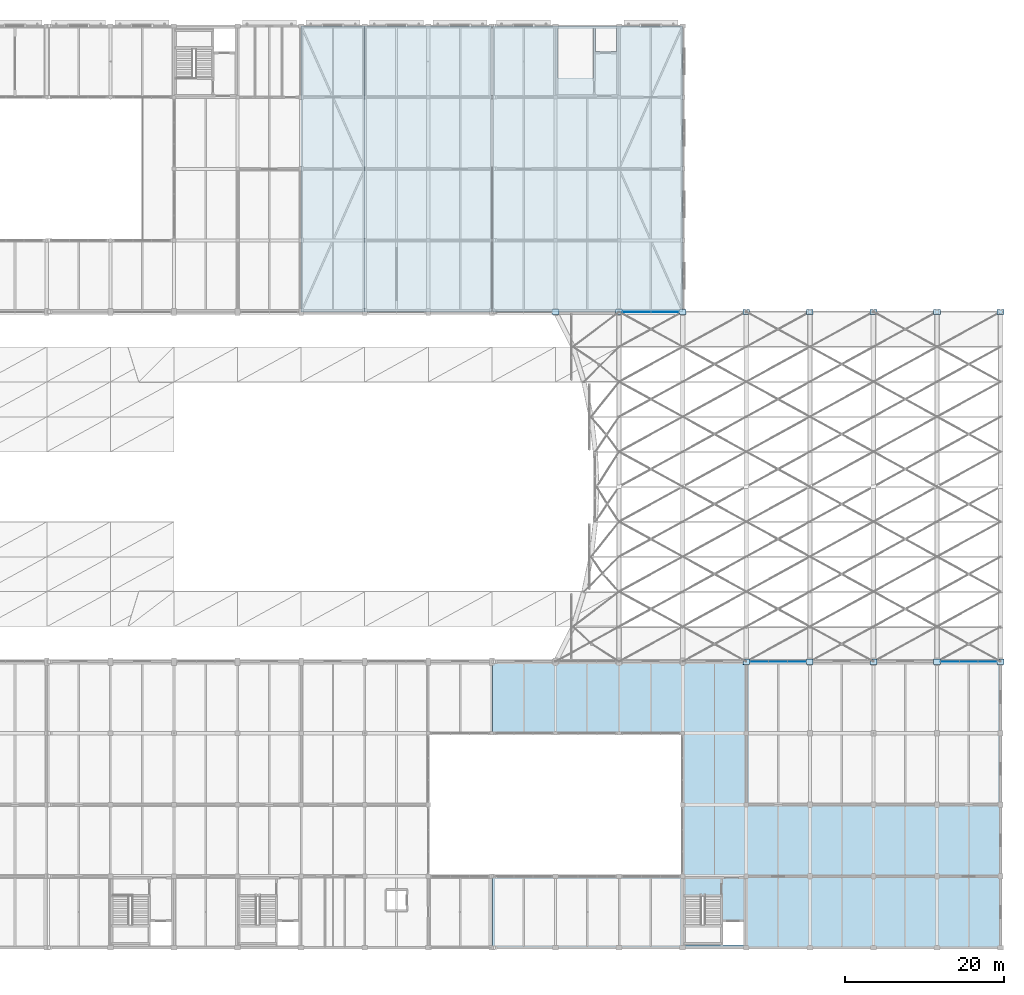
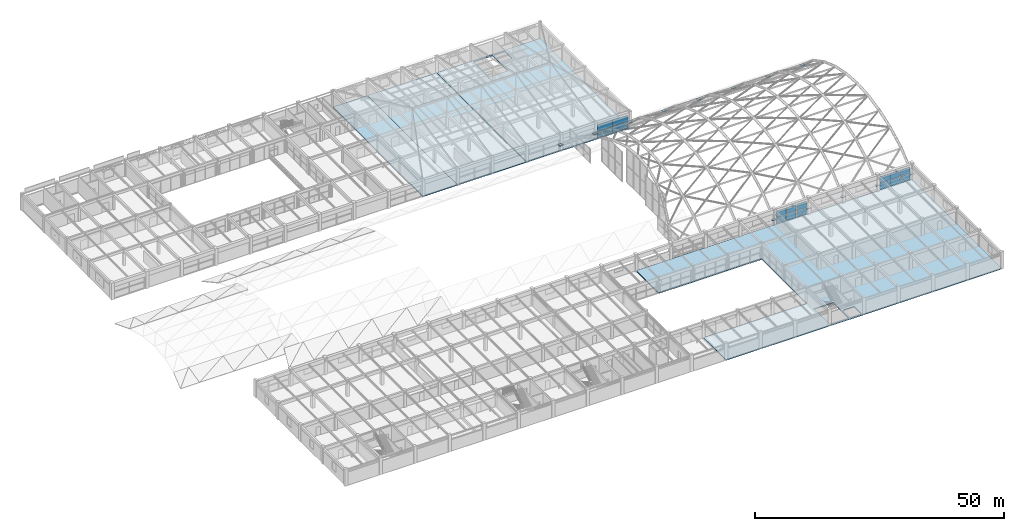
# One storey, part 90 of 126: 29 plates, 4 slabs, 3 elements without a shape of their own.
"""IFC4 building model written with IfcOpenShell, lengths in metres."""

from ifc_helpers import new_model, si_unit, direction, frame, origin, origin_2d, place, context, subcontext, project, spatial, polyline, rectangle, outline, extrude, material, layer, layer_set, type_object, element, aggregate, save


model = new_model("IFC4")

# Units and contexts
model_context = context("Model", 3, precision=1e-05, world=origin(), true_north=direction((0.0, 1.0)))
body_context = subcontext(model_context, "Body", "Model", "MODEL_VIEW")
ifc_project = project(units=[si_unit("LENGTHUNIT", "METRE"), si_unit("AREAUNIT", "SQUARE_METRE"), si_unit("VOLUMEUNIT", "CUBIC_METRE"), si_unit("PLANEANGLEUNIT", "RADIAN"), si_unit("MASSUNIT", "GRAM", prefix="KILO")], contexts=[model_context])

# Site, building, storey
site_placement = place(None, origin())
site = spatial("IfcSite", under=ifc_project, at=site_placement, CompositionType="ELEMENT")
building_placement = place(site_placement, origin())
building = spatial("IfcBuilding", under=site, at=building_placement, Name="Varnabhumi Central Station", CompositionType="ELEMENT")
storey_placement = place(building_placement, frame((0.0, 0.0, 16.199951171875)))
storey = spatial("IfcBuildingStorey", under=building, at=storey_placement, Name="L03", CompositionType="ELEMENT", Elevation=16.199951171875)

# Curtain wall, plates
ifc_material_1 = material(Name="Anodised aluminium 6063-T6", Category="aluminium")
curtain_wall_type = type_object("IfcCurtainWallType", Name="CW-SPINE-SCREEN-L0", PredefinedType="NOTDEFINED", material=ifc_material_1)
curtain_wall_1_placement = place(storey_placement, origin())
curtain_wall_1 = element("IfcCurtainWall", 1, at=curtain_wall_1_placement, inside=storey, type_object=curtain_wall_type, Name="Curtain Wall CW-SS315", PredefinedType="NOTDEFINED")
ifc_material_2 = material(Name="Laminated low-E double glazing", Category="glass")
ifc_layer_1 = layer(ifc_material_2, 0.035888671875, Name="Laminated low-E double glazing", Category="glass")
ifc_layer_set_1 = layer_set([ifc_layer_1], Name="Laminated low-E double glazing")
plate_type_1 = type_object("IfcPlateType", Name="CW-PNL-GLZ-1", PredefinedType="CURTAIN_PANEL", material=ifc_layer_set_1)
plate_1_placement = place(storey_placement, frame((153.63330078125, 36.0, 0.0400390625), z_axis=(0.0, 0.0, 1.0), x_axis=(1.0, 0.0, 0.0)))
plate_1 = element("IfcPlate", 2, at=plate_1_placement, type_object=plate_type_1, Name="Glazed Panel CW-SS315-P11", PredefinedType="CURTAIN_PANEL", context=body_context, shape_type="SweptSolid", body=[
    extrude(rectangle(XDim=2.28662109375, YDim=0.035888671875, at=origin_2d()), origin(), (0.0, 0.0, 1.0), 1.5400390625),
])
plate_2_placement = place(storey_placement, frame((153.63330078125, 36.0, 1.659912109375), z_axis=(0.0, 0.0, 1.0), x_axis=(1.0, 0.0, 0.0)))
plate_2 = element("IfcPlate", 3, at=plate_2_placement, type_object=plate_type_1, Name="Glazed Panel CW-SS315-P12", PredefinedType="CURTAIN_PANEL", context=body_context, shape_type="SweptSolid", body=[
    extrude(rectangle(XDim=2.28662109375, YDim=0.035888671875, at=origin_2d()), origin(), (0.0, 0.0, 1.0), 1.5400390625),
])
plate_3_placement = place(storey_placement, frame((156.0, 36.0, 0.0400390625), z_axis=(0.0, 0.0, 1.0), x_axis=(1.0, 0.0, 0.0)))
plate_3 = element("IfcPlate", 4, at=plate_3_placement, type_object=plate_type_1, Name="Glazed Panel CW-SS315-P21", PredefinedType="CURTAIN_PANEL", context=body_context, shape_type="SweptSolid", body=[
    extrude(rectangle(XDim=2.28662109375, YDim=0.035888671875, at=origin_2d()), origin(), (0.0, 0.0, 1.0), 1.5400390625),
])
plate_4_placement = place(storey_placement, frame((156.0, 36.0, 1.659912109375), z_axis=(0.0, 0.0, 1.0), x_axis=(1.0, 0.0, 0.0)))
plate_4 = element("IfcPlate", 5, at=plate_4_placement, type_object=plate_type_1, Name="Glazed Panel CW-SS315-P22", PredefinedType="CURTAIN_PANEL", context=body_context, shape_type="SweptSolid", body=[
    extrude(rectangle(XDim=2.28662109375, YDim=0.035888671875, at=origin_2d()), origin(), (0.0, 0.0, 1.0), 1.5400390625),
])
plate_5_placement = place(storey_placement, frame((158.36669921875, 36.0, 0.0400390625), z_axis=(0.0, 0.0, 1.0), x_axis=(1.0, 0.0, 0.0)))
plate_5 = element("IfcPlate", 6, at=plate_5_placement, type_object=plate_type_1, Name="Glazed Panel CW-SS315-P31", PredefinedType="CURTAIN_PANEL", context=body_context, shape_type="SweptSolid", body=[
    extrude(rectangle(XDim=2.28662109375, YDim=0.035888671875, at=origin_2d()), origin(), (0.0, 0.0, 1.0), 1.5400390625),
])
plate_6_placement = place(storey_placement, frame((158.36669921875, 36.0, 1.659912109375), z_axis=(0.0, 0.0, 1.0), x_axis=(1.0, 0.0, 0.0)))
plate_6 = element("IfcPlate", 7, at=plate_6_placement, type_object=plate_type_1, Name="Glazed Panel CW-SS315-P32", PredefinedType="CURTAIN_PANEL", context=body_context, shape_type="SweptSolid", body=[
    extrude(rectangle(XDim=2.28662109375, YDim=0.035888671875, at=origin_2d()), origin(), (0.0, 0.0, 1.0), 1.5400390625),
])
aggregate(curtain_wall_1, [plate_1, plate_2, plate_3, plate_4, plate_5, plate_6])

curtain_wall_2_placement = place(storey_placement, origin())
curtain_wall_2 = element("IfcCurtainWall", 8, at=curtain_wall_2_placement, inside=storey, type_object=curtain_wall_type, Name="Curtain Wall CW-SS318", PredefinedType="NOTDEFINED")
ifc_layer_2 = layer(ifc_material_2, 0.035888671875, Name="Laminated low-E double glazing", Category="glass")
ifc_layer_set_2 = layer_set([ifc_layer_2], Name="Laminated low-E double glazing")
plate_type_2 = type_object("IfcPlateType", Name="CW-PNL-GLZ-4", PredefinedType="CURTAIN_PANEL", material=ifc_layer_set_2)
plate_7_placement = place(storey_placement, frame((177.63330078125, 36.0, 0.0400390625), z_axis=(0.0, 0.0, 1.0), x_axis=(1.0, 0.0, 0.0)))
plate_7 = element("IfcPlate", 9, at=plate_7_placement, type_object=plate_type_2, Name="Glazed Panel CW-SS318-P11", PredefinedType="CURTAIN_PANEL", context=body_context, shape_type="SweptSolid", body=[
    extrude(rectangle(XDim=2.28662109375, YDim=0.035888671875, at=origin_2d()), origin(), (0.0, 0.0, 1.0), 1.5400390625),
])
plate_8_placement = place(storey_placement, frame((177.63330078125, 36.0, 1.659912109375), z_axis=(0.0, 0.0, 1.0), x_axis=(1.0, 0.0, 0.0)))
plate_8 = element("IfcPlate", 10, at=plate_8_placement, type_object=plate_type_2, Name="Glazed Panel CW-SS318-P12", PredefinedType="CURTAIN_PANEL", context=body_context, shape_type="SweptSolid", body=[
    extrude(rectangle(XDim=2.28662109375, YDim=0.035888671875, at=origin_2d()), origin(), (0.0, 0.0, 1.0), 1.5400390625),
])
plate_9_placement = place(storey_placement, frame((180.0, 36.0, 0.0400390625), z_axis=(0.0, 0.0, 1.0), x_axis=(1.0, 0.0, 0.0)))
plate_9 = element("IfcPlate", 11, at=plate_9_placement, type_object=plate_type_2, Name="Glazed Panel CW-SS318-P21", PredefinedType="CURTAIN_PANEL", context=body_context, shape_type="SweptSolid", body=[
    extrude(rectangle(XDim=2.28662109375, YDim=0.035888671875, at=origin_2d()), origin(), (0.0, 0.0, 1.0), 1.5400390625),
])
plate_10_placement = place(storey_placement, frame((180.0, 36.0, 1.659912109375), z_axis=(0.0, 0.0, 1.0), x_axis=(1.0, 0.0, 0.0)))
plate_10 = element("IfcPlate", 12, at=plate_10_placement, type_object=plate_type_2, Name="Glazed Panel CW-SS318-P22", PredefinedType="CURTAIN_PANEL", context=body_context, shape_type="SweptSolid", body=[
    extrude(rectangle(XDim=2.28662109375, YDim=0.035888671875, at=origin_2d()), origin(), (0.0, 0.0, 1.0), 1.5400390625),
])
plate_11_placement = place(storey_placement, frame((182.36669921875, 36.0, 0.0400390625), z_axis=(0.0, 0.0, 1.0), x_axis=(1.0, 0.0, 0.0)))
plate_11 = element("IfcPlate", 13, at=plate_11_placement, type_object=plate_type_2, Name="Glazed Panel CW-SS318-P31", PredefinedType="CURTAIN_PANEL", context=body_context, shape_type="SweptSolid", body=[
    extrude(rectangle(XDim=2.28662109375, YDim=0.035888671875, at=origin_2d()), origin(), (0.0, 0.0, 1.0), 1.5400390625),
])
plate_12_placement = place(storey_placement, frame((182.36669921875, 36.0, 1.659912109375), z_axis=(0.0, 0.0, 1.0), x_axis=(1.0, 0.0, 0.0)))
plate_12 = element("IfcPlate", 14, at=plate_12_placement, type_object=plate_type_2, Name="Glazed Panel CW-SS318-P32", PredefinedType="CURTAIN_PANEL", context=body_context, shape_type="SweptSolid", body=[
    extrude(rectangle(XDim=2.28662109375, YDim=0.035888671875, at=origin_2d()), origin(), (0.0, 0.0, 1.0), 1.5400390625),
])
aggregate(curtain_wall_2, [plate_7, plate_8, plate_9, plate_10, plate_11, plate_12])

curtain_wall_3_placement = place(storey_placement, origin())
curtain_wall_3 = element("IfcCurtainWall", 15, at=curtain_wall_3_placement, inside=storey, type_object=curtain_wall_type, Name="Curtain Wall CW-NS314", PredefinedType="NOTDEFINED")
ifc_layer_3 = layer(ifc_material_2, 0.035888671875, Name="Laminated low-E double glazing", Category="glass")
ifc_layer_set_3 = layer_set([ifc_layer_3], Name="Laminated low-E double glazing")
plate_type_3 = type_object("IfcPlateType", Name="CW-PNL-GLZ-5", PredefinedType="CURTAIN_PANEL", material=ifc_layer_set_3)
plate_13_placement = place(storey_placement, frame((138.22509765625, 80.0, 0.0400390625), z_axis=(0.0, 0.0, 1.0), x_axis=(1.0, 0.0, 0.0)))
plate_13 = element("IfcPlate", 16, at=plate_13_placement, type_object=plate_type_3, Name="Glazed Panel CW-NS314-P11", PredefinedType="CURTAIN_PANEL", context=body_context, shape_type="SweptSolid", body=[
    extrude(rectangle(XDim=3.469970703125, YDim=0.035888671875, at=origin_2d()), origin(), (0.0, 0.0, 1.0), 1.5400390625),
])
plate_14_placement = place(storey_placement, frame((138.22509765625, 80.0, 1.659912109375), z_axis=(0.0, 0.0, 1.0), x_axis=(1.0, 0.0, 0.0)))
plate_14 = element("IfcPlate", 17, at=plate_14_placement, type_object=plate_type_3, Name="Glazed Panel CW-NS314-P12", PredefinedType="CURTAIN_PANEL", context=body_context, shape_type="SweptSolid", body=[
    extrude(rectangle(XDim=3.469970703125, YDim=0.035888671875, at=origin_2d()), origin(), (0.0, 0.0, 1.0), 1.5400390625),
])
plate_15_placement = place(storey_placement, frame((141.77490234375, 80.0, 0.0400390625), z_axis=(0.0, 0.0, 1.0), x_axis=(1.0, 0.0, 0.0)))
plate_15 = element("IfcPlate", 18, at=plate_15_placement, type_object=plate_type_3, Name="Glazed Panel CW-NS314-P21", PredefinedType="CURTAIN_PANEL", context=body_context, shape_type="SweptSolid", body=[
    extrude(rectangle(XDim=3.469970703125, YDim=0.035888671875, at=origin_2d()), origin(), (0.0, 0.0, 1.0), 1.5400390625),
])
plate_16_placement = place(storey_placement, frame((141.77490234375, 80.0, 1.659912109375), z_axis=(0.0, 0.0, 1.0), x_axis=(1.0, 0.0, 0.0)))
plate_16 = element("IfcPlate", 19, at=plate_16_placement, type_object=plate_type_3, Name="Glazed Panel CW-NS314-P22", PredefinedType="CURTAIN_PANEL", context=body_context, shape_type="SweptSolid", body=[
    extrude(rectangle(XDim=3.469970703125, YDim=0.035888671875, at=origin_2d()), origin(), (0.0, 0.0, 1.0), 1.5400390625),
])
aggregate(curtain_wall_3, [plate_13, plate_14, plate_15, plate_16])

# Plates
ifc_material_3 = material(Name="Structural steel E350", Category="steel")
ifc_layer_4 = layer(ifc_material_3, 0.031982421875, Name="Structural steel E350", Category="steel")
ifc_layer_set_4 = layer_set([ifc_layer_4], Name="Structural steel E350")
plate_type_4 = type_object("IfcPlateType", Name="PLT-GUSSET-A", PredefinedType="USERDEFINED", material=ifc_layer_set_4)
for number, where, z_axis, x_axis, name in (
    (20, (128.0, 80.0, 1.333984375), (0.0, 0.0, 1.0), (1.0, 0.0, 0.0), "Platform Train-Shed Vault Arch Springing Gusset 1-N"),
    (21, (136.0, 80.0, 1.333984375), (0.0, 0.0, 1.0), (1.0, 0.0, 0.0), "Platform Train-Shed Vault Arch Springing Gusset 2-N"),
    (22, (144.0, 80.0, 1.333984375), (0.0, 0.0, 1.0), (1.0, 0.0, 0.0), "Platform Train-Shed Vault Arch Springing Gusset 3-N"),
    (23, (152.0, 36.0, 1.333984375), (0.0, 0.0, 1.0), (1.0, 0.0, 0.0), "Platform Train-Shed Vault Arch Springing Gusset 4-S"),
    (24, (152.0, 80.0, 1.333984375), (0.0, 0.0, 1.0), (1.0, 0.0, 0.0), "Platform Train-Shed Vault Arch Springing Gusset 4-N"),
    (25, (160.0, 36.0, 1.333984375), (0.0, 0.0, 1.0), (1.0, 0.0, 0.0), "Platform Train-Shed Vault Arch Springing Gusset 5-S"),
    (26, (160.0, 80.0, 1.333984375), (0.0, 0.0, 1.0), (1.0, 0.0, 0.0), "Platform Train-Shed Vault Arch Springing Gusset 5-N"),
    (27, (168.0, 36.0, 1.333984375), (0.0, 0.0, 1.0), (1.0, 0.0, 0.0), "Platform Train-Shed Vault Arch Springing Gusset 6-S"),
    (28, (168.0, 80.0, 1.333984375), (0.0, 0.0, 1.0), (1.0, 0.0, 0.0), "Platform Train-Shed Vault Arch Springing Gusset 6-N"),
    (29, (176.0, 36.0, 1.333984375), (0.0, 0.0, 1.0), (1.0, 0.0, 0.0), "Platform Train-Shed Vault Arch Springing Gusset 7-S"),
    (30, (176.0, 80.0, 1.333984375), (0.0, 0.0, 1.0), (1.0, 0.0, 0.0), "Platform Train-Shed Vault Arch Springing Gusset 7-N"),
    (31, (184.0, 36.0, 1.333984375), (0.0, 0.0, 1.0), (1.0, 0.0, 0.0), "Platform Train-Shed Vault Arch Springing Gusset 8-S"),
    (32, (184.0, 80.0, 1.333984375), (0.0, 0.0, 1.0), (1.0, 0.0, 0.0), "Platform Train-Shed Vault Arch Springing Gusset 8-N"),
):
    element("IfcPlate", number, at=place(storey_placement, frame(where, z_axis=z_axis, x_axis=x_axis)), inside=storey, type_object=plate_type_4, Name=name, ObjectType="GUSSET PLATE", PredefinedType="USERDEFINED", context=body_context, shape_type="SweptSolid", body=[
        extrude(rectangle(XDim=0.85009765625, YDim=0.64990234375, at=origin_2d()), origin(), (0.0, 0.0, 1.0), 0.031982421875),
    ])

# Slabs
ifc_material_4 = material(Name="Concrete M40", Category="concrete")
ifc_layer_5 = layer(ifc_material_4, 0.25, Name="Concrete M40", Category="concrete")
ifc_layer_set_5 = layer_set([ifc_layer_5], Name="Concrete M40")
slab_type = type_object("IfcSlabType", Name="SLB-WING-250", PredefinedType="FLOOR", material=ifc_layer_set_5)
slab_1_placement = place(storey_placement, frame((0.0, 0.0, -0.25)))
element("IfcSlab", 33, at=slab_1_placement, inside=storey, type_object=slab_type, Name="North Wing L03 Floor Slab Zone 3", PredefinedType="FLOOR", context=body_context, shape_type="SweptSolid", body=[
    extrude(outline(polyline([(96.0, 80.0), (104.0, 80.0), (104.0, 116.0), (96.0, 116.0), (96.0, 80.0)])), origin(), (0.0, 0.0, 1.0), 0.25),
])
slab_2_placement = place(storey_placement, frame((0.0, 0.0, -0.25)))
element("IfcSlab", 34, at=slab_2_placement, inside=storey, type_object=slab_type, Name="North Wing L03 Floor Slab Zone 4", PredefinedType="FLOOR", context=body_context, shape_type="SweptSolid", body=[
    extrude(outline(polyline([(104.0, 80.0), (119.93994140625, 80.0), (119.93994140625, 116.0), (104.0, 116.0), (104.0, 80.0)])), origin(), (0.0, 0.0, 1.0), 0.25),
])
slab_3_placement = place(storey_placement, frame((0.0, 0.0, -0.25)))
element("IfcSlab", 35, at=slab_3_placement, inside=storey, type_object=slab_type, Name="North Wing L03 Floor Slab Zone 5", PredefinedType="FLOOR", context=body_context, shape_type="SweptSolid", body=[
    extrude(outline(polyline([(120.06005859375, 80.0), (144.0, 80.0), (144.0, 116.0), (120.06005859375, 116.0), (120.06005859375, 80.0)]), holes=[polyline([(128.330078125, 109.419921875), (132.760009765625, 109.419921875), (132.760009765625, 115.64990234375), (128.330078125, 115.64990234375), (128.330078125, 109.419921875)]), polyline([(133.0400390625, 112.75), (135.669921875, 112.75), (135.669921875, 115.64990234375), (133.0400390625, 115.64990234375), (133.0400390625, 112.75)])]), origin(), (0.0, 0.0, 1.0), 0.25),
])
slab_4_placement = place(storey_placement, frame((0.0, 0.0, -0.25)))
element("IfcSlab", 36, at=slab_4_placement, inside=storey, type_object=slab_type, Name="South Wing L03 Floor Slab Zone 3", PredefinedType="FLOOR", context=body_context, shape_type="SweptSolid", body=[
    extrude(outline(polyline([(120.06005859375, 0.0), (184.0, 0.0), (184.0, 36.0), (120.06005859375, 36.0), (120.06005859375, 27.0), (144.0, 27.0), (144.0, 9.0), (120.06005859375, 9.0), (120.06005859375, 0.0)]), holes=[polyline([(144.330078125, 0.35009765625), (148.760009765625, 0.35009765625), (148.760009765625, 6.580078125), (144.330078125, 6.580078125), (144.330078125, 0.35009765625)]), polyline([(149.0400390625, 0.35009765625), (151.669921875, 0.35009765625), (151.669921875, 3.25), (149.0400390625, 3.25), (149.0400390625, 0.35009765625)])]), origin(), (0.0, 0.0, 1.0), 0.25),
])

save(model, "model.ifc")
